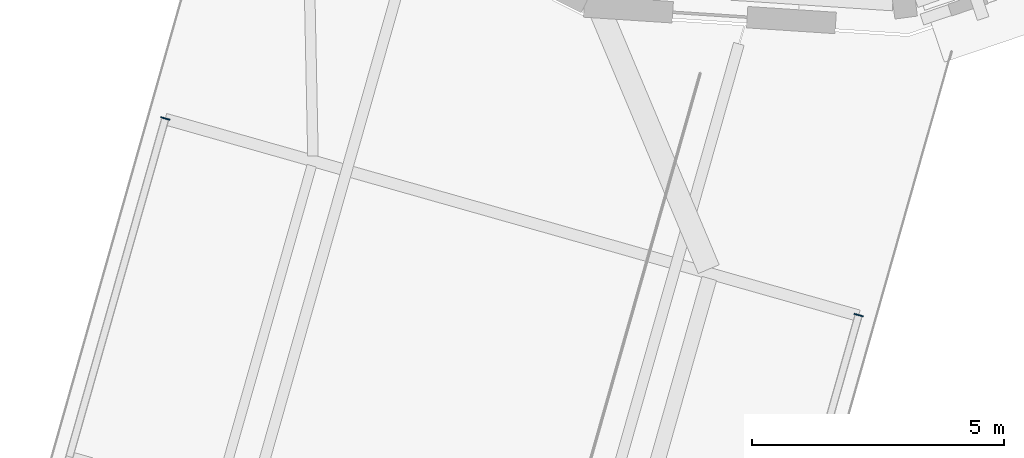
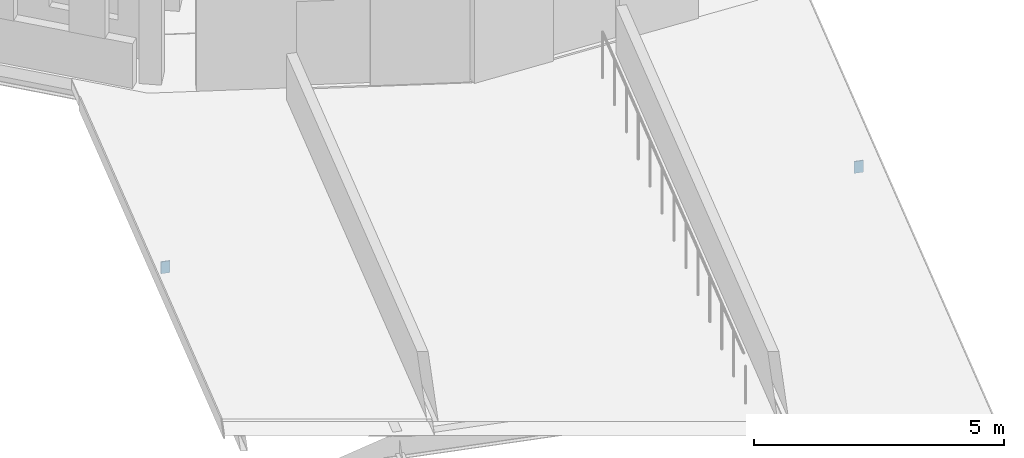
# One storey, part 34 of 68: 2 plates.
"""IFC4 building model written with IfcOpenShell, lengths in metres."""

from ifc_helpers import new_model, si_unit, direction, frame, origin, origin_2d, place, context, subcontext, project, spatial, rectangle, extrude, material, layer, layer_set, type_object, element, save


model = new_model("IFC4")

# Units and contexts
model_context = context("Model", 3, precision=1e-05, world=origin(), true_north=direction((0.0, 1.0)))
body_context = subcontext(model_context, "Body", "Model", "MODEL_VIEW")
ifc_project = project(units=[si_unit("LENGTHUNIT", "METRE"), si_unit("AREAUNIT", "SQUARE_METRE"), si_unit("VOLUMEUNIT", "CUBIC_METRE"), si_unit("PLANEANGLEUNIT", "RADIAN"), si_unit("MASSUNIT", "GRAM", prefix="KILO")], contexts=[model_context])

# Site, building, storey
site_placement = place(None, origin())
site = spatial("IfcSite", under=ifc_project, at=site_placement, CompositionType="ELEMENT")
building_placement = place(site_placement, origin())
building = spatial("IfcBuilding", under=site, at=building_placement, Name="Wrenclough Park School", CompositionType="ELEMENT")
storey_placement = place(building_placement, frame((0.0, 0.0, 12.60009765625)))
storey = spatial("IfcBuildingStorey", under=building, at=storey_placement, Name="L03", CompositionType="ELEMENT", Elevation=12.60009765625)

# Plates
ifc_material = material(Name="Structural steel S355", Category="steel")
ifc_layer = layer(ifc_material, 0.2900390625)
ifc_layer_set = layer_set([ifc_layer], Name="Structural steel S355")
plate_type = type_object("IfcPlateType", Name="STR-PL-EP250", PredefinedType="SHEET", material=ifc_layer_set)
for number, where, z_axis, x_axis, name in (
    (1, (161.92431640625, 75.361328125, -0.5), (0.0, 0.0, 1.0), (0.272784025857, 0.962075296033, 0.0), "W14 eave fascia L3 end sealing end-cap plate"),
    (2, (175.681884765625, 71.4599609375, -0.5), (0.0, 0.0, 1.0), (0.272784025857, 0.962075296033, 0.0), "W14 eave fascia R3 end sealing end-cap plate"),
):
    element("IfcPlate", number, at=place(storey_placement, frame(where, z_axis=z_axis, x_axis=x_axis)), inside=storey, type_object=plate_type, Name=name, PredefinedType="SHEET", context=body_context, shape_type="SweptSolid", body=[
        extrude(rectangle(XDim=0.02197265625, YDim=0.18994140625, at=origin_2d()), origin(), (0.0, 0.0, 1.0), 0.2900390625),
    ])

save(model, "model.ifc")
